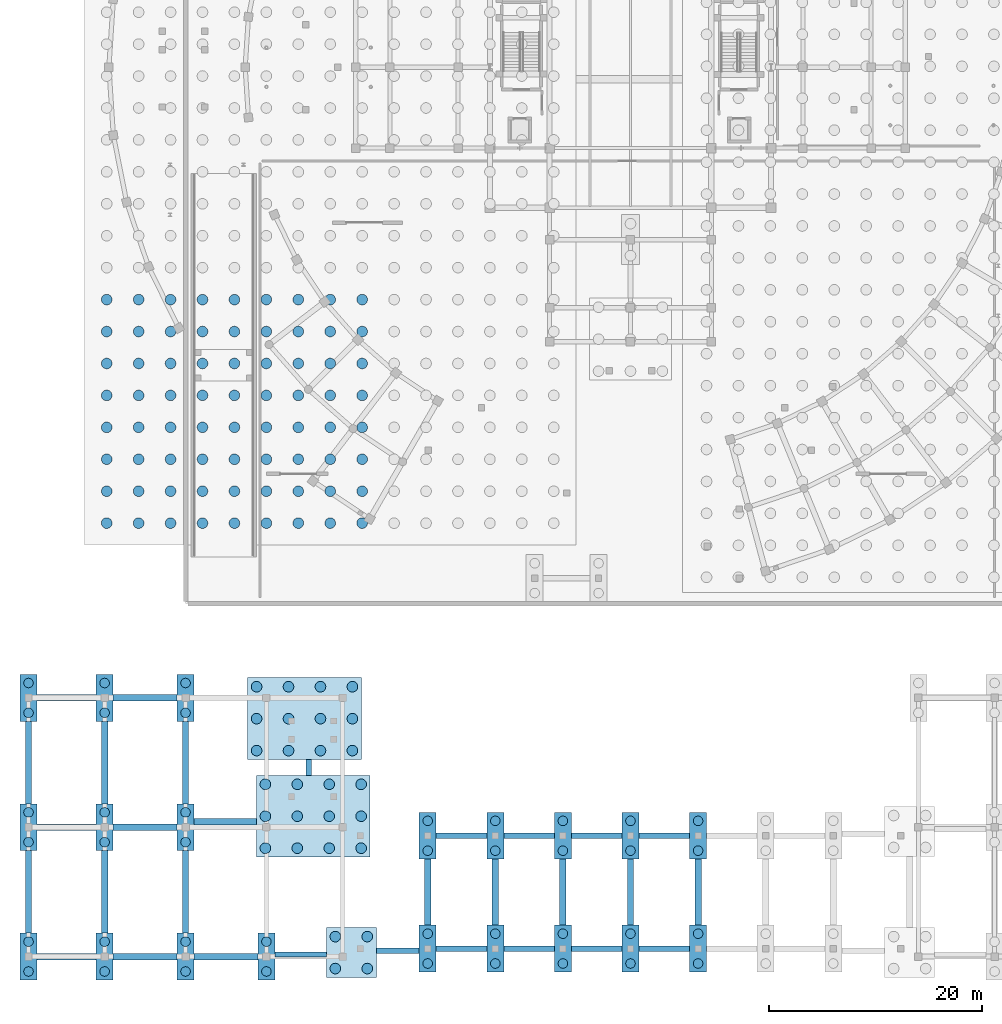
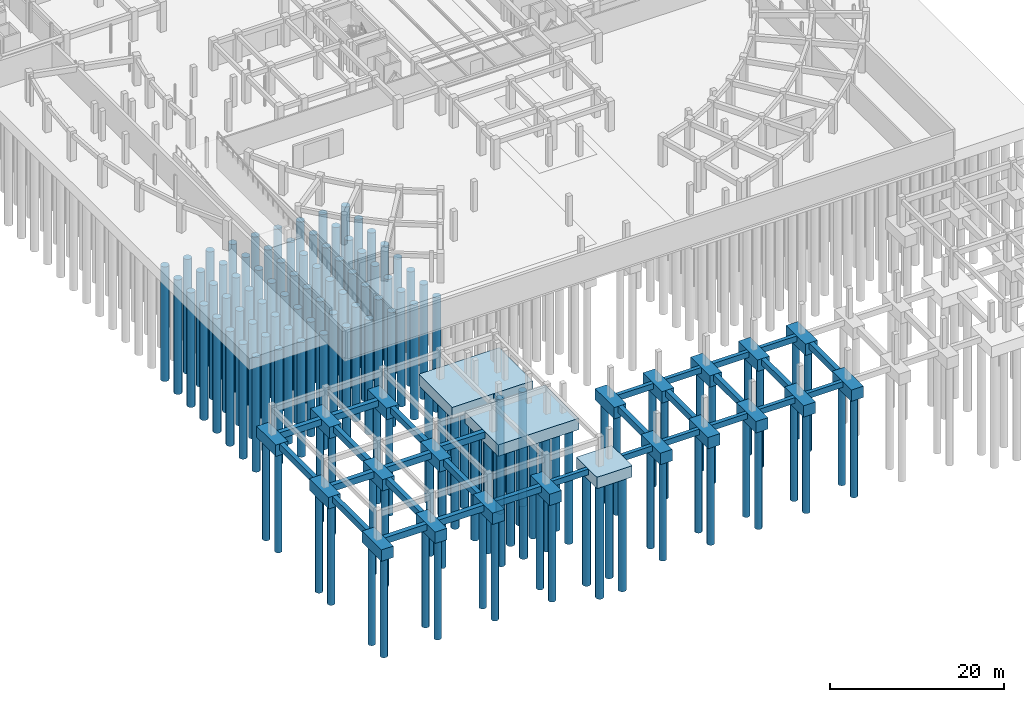
# One storey, part 1 of 33: 140 piles, 53 footings.
"""IFC4 building model written with IfcOpenShell, lengths in metres."""

from ifc_helpers import new_model, si_unit, direction, frame, origin, origin_2d, place, context, subcontext, project, spatial, rectangle, circle, extrude, material, material_profile, profile_set, type_object, element, save


model = new_model("IFC4")

# Units and contexts
model_context = context("Model", 3, precision=1e-05, world=origin(), true_north=direction((0.0, 1.0)))
body_context = subcontext(model_context, "Body", "Model", "MODEL_VIEW")
ifc_project = project(units=[si_unit("LENGTHUNIT", "METRE"), si_unit("AREAUNIT", "SQUARE_METRE"), si_unit("VOLUMEUNIT", "CUBIC_METRE"), si_unit("PLANEANGLEUNIT", "RADIAN"), si_unit("MASSUNIT", "GRAM", prefix="KILO")], contexts=[model_context])

# Site, building, storey
site_placement = place(None, origin())
site = spatial("IfcSite", under=ifc_project, at=site_placement, CompositionType="ELEMENT")
building_placement = place(site_placement, origin())
building = spatial("IfcBuilding", under=site, at=building_placement, Name="Saryqyr Civic Hall", CompositionType="ELEMENT")
storey_placement = place(building_placement, frame((0.0, 0.0, -4.199951171875)))
storey = spatial("IfcBuildingStorey", under=building, at=storey_placement, Name="B1", CompositionType="ELEMENT", Elevation=-4.199951171875)

# Footings
ifc_material = material(Name="Concrete C35/45", Category="concrete")
footing_type_1 = type_object("IfcFootingType", Name="STR-FB-500x800", PredefinedType="FOOTING_BEAM", material=ifc_material)
footing_1_placement = place(storey_placement, frame((26.012451171875, 0.637451171875, -0.80029296875), z_axis=(0.0, 0.0, 1.0), x_axis=(1.0, 0.0, 0.0)))
element("IfcFooting", 1, at=footing_1_placement, inside=storey, type_object=footing_type_1, Name="Ground tie beam FND-FB-007", PredefinedType="FOOTING_BEAM", context=body_context, shape_type="SweptSolid", body=[
    extrude(rectangle(XDim=4.824951171875, YDim=0.5, at=origin_2d()), origin(), (0.0, 0.0, 1.0), 0.800048828125),
])
footing_2_placement = place(storey_placement, frame((35.137451171875, 1.012451171875, -0.80029296875), z_axis=(0.0, 0.0, 1.0), x_axis=(1.0, 0.0, 0.0)))
element("IfcFooting", 2, at=footing_2_placement, inside=storey, type_object=footing_type_1, Name="Ground tie beam FND-FB-008", PredefinedType="FOOTING_BEAM", context=body_context, shape_type="SweptSolid", body=[
    extrude(rectangle(XDim=4.02490234375, YDim=0.5, at=origin_2d()), origin(), (0.0, 0.0, 1.0), 0.800048828125),
])
for number, where, z_axis, x_axis, name in (
    (3, (41.125, 1.199951171875, -0.80029296875), (0.0, 0.0, 1.0), (1.0, 0.0, 0.0), "Ground tie beam FND-FB-017"),
    (4, (47.47509765625, 1.199951171875, -0.80029296875), (0.0, 0.0, 1.0), (1.0, 0.0, 0.0), "Ground tie beam FND-FB-019"),
    (5, (53.824951171875, 1.199951171875, -0.80029296875), (0.0, 0.0, 1.0), (1.0, 0.0, 0.0), "Ground tie beam FND-FB-021"),
    (6, (60.175048828125, 1.199951171875, -0.80029296875), (0.0, 0.0, 1.0), (1.0, 0.0, 0.0), "Ground tie beam FND-FB-023"),
):
    element("IfcFooting", number, at=place(storey_placement, frame(where, z_axis=z_axis, x_axis=x_axis)), inside=storey, type_object=footing_type_1, Name=name, PredefinedType="FOOTING_BEAM", context=body_context, shape_type="SweptSolid", body=[
        extrude(rectangle(XDim=4.75, YDim=0.5, at=origin_2d()), origin(), (0.0, 0.0, 1.0), 0.800048828125),
    ])
footing_3_placement = place(storey_placement, frame((26.78759765625, 18.216552734375, -0.80029296875), z_axis=(0.0, 0.0, 1.0), x_axis=(1.0, 0.0, 0.0)))
element("IfcFooting", 7, at=footing_3_placement, inside=storey, type_object=footing_type_1, Name="Ground tie beam FND-FB-031", PredefinedType="FOOTING_BEAM", context=body_context, shape_type="SweptSolid", body=[
    extrude(rectangle(XDim=0.5, YDim=1.467041015625, at=origin_2d()), origin(), (0.0, 0.0, 1.0), 0.800048828125),
])
for number, where, z_axis, x_axis, name in (
    (8, (41.125, 11.800048828125, -0.80029296875), (0.0, 0.0, 1.0), (1.0, 0.0, 0.0), "Ground tie beam FND-FB-032"),
    (9, (47.47509765625, 11.800048828125, -0.80029296875), (0.0, 0.0, 1.0), (1.0, 0.0, 0.0), "Ground tie beam FND-FB-033"),
    (10, (53.824951171875, 11.800048828125, -0.80029296875), (0.0, 0.0, 1.0), (1.0, 0.0, 0.0), "Ground tie beam FND-FB-034"),
    (11, (60.175048828125, 11.800048828125, -0.80029296875), (0.0, 0.0, 1.0), (1.0, 0.0, 0.0), "Ground tie beam FND-FB-035"),
):
    element("IfcFooting", number, at=place(storey_placement, frame(where, z_axis=z_axis, x_axis=x_axis)), inside=storey, type_object=footing_type_1, Name=name, PredefinedType="FOOTING_BEAM", context=body_context, shape_type="SweptSolid", body=[
        extrude(rectangle(XDim=4.75, YDim=0.5, at=origin_2d()), origin(), (0.0, 0.0, 1.0), 0.800048828125),
    ])
footing_type_2 = type_object("IfcFootingType", Name="STR-FB-600x900", PredefinedType="FOOTING_BEAM", material=ifc_material)
footing_4_placement = place(storey_placement, frame((4.02490234375, 0.449951171875, -0.89990234375), z_axis=(0.0, 0.0, 1.0), x_axis=(1.0, 0.0, 0.0)))
element("IfcFooting", 12, at=footing_4_placement, inside=storey, type_object=footing_type_2, Name="Ground tie beam FND-FB-001", PredefinedType="FOOTING_BEAM", context=body_context, shape_type="SweptSolid", body=[
    extrude(rectangle(XDim=5.550048828125, YDim=0.60009765625, at=origin_2d()), origin(), (0.0, 0.0, 1.0), 0.89990234375),
])
footing_5_placement = place(storey_placement, frame((0.449951171875, 6.52490234375, -0.89990234375), z_axis=(0.0, 0.0, 1.0), x_axis=(1.0, 0.0, 0.0)))
element("IfcFooting", 13, at=footing_5_placement, inside=storey, type_object=footing_type_2, Name="Ground tie beam FND-FB-002", PredefinedType="FOOTING_BEAM", context=body_context, shape_type="SweptSolid", body=[
    extrude(rectangle(XDim=0.60009765625, YDim=7.75, at=origin_2d()), origin(), (0.0, 0.0, 1.0), 0.89990234375),
])
footing_6_placement = place(storey_placement, frame((11.39990234375, 0.449951171875, -0.89990234375), z_axis=(0.0, 0.0, 1.0), x_axis=(1.0, 0.0, 0.0)))
element("IfcFooting", 14, at=footing_6_placement, inside=storey, type_object=footing_type_2, Name="Ground tie beam FND-FB-003", PredefinedType="FOOTING_BEAM", context=body_context, shape_type="SweptSolid", body=[
    extrude(rectangle(XDim=6.0, YDim=0.60009765625, at=origin_2d()), origin(), (0.0, 0.0, 1.0), 0.89990234375),
])
footing_7_placement = place(storey_placement, frame((7.60009765625, 6.52490234375, -0.89990234375), z_axis=(0.0, 0.0, 1.0), x_axis=(1.0, 0.0, 0.0)))
element("IfcFooting", 15, at=footing_7_placement, inside=storey, type_object=footing_type_2, Name="Ground tie beam FND-FB-004", PredefinedType="FOOTING_BEAM", context=body_context, shape_type="SweptSolid", body=[
    extrude(rectangle(XDim=0.60009765625, YDim=7.75, at=origin_2d()), origin(), (0.0, 0.0, 1.0), 0.89990234375),
])
footing_8_placement = place(storey_placement, frame((19.0, 0.449951171875, -0.89990234375), z_axis=(0.0, 0.0, 1.0), x_axis=(1.0, 0.0, 0.0)))
element("IfcFooting", 16, at=footing_8_placement, inside=storey, type_object=footing_type_2, Name="Ground tie beam FND-FB-005", PredefinedType="FOOTING_BEAM", context=body_context, shape_type="SweptSolid", body=[
    extrude(rectangle(XDim=6.0, YDim=0.60009765625, at=origin_2d()), origin(), (0.0, 0.0, 1.0), 0.89990234375),
])
footing_9_placement = place(storey_placement, frame((15.199951171875, 6.52490234375, -0.89990234375), z_axis=(0.0, 0.0, 1.0), x_axis=(1.0, 0.0, 0.0)))
element("IfcFooting", 17, at=footing_9_placement, inside=storey, type_object=footing_type_2, Name="Ground tie beam FND-FB-006", PredefinedType="FOOTING_BEAM", context=body_context, shape_type="SweptSolid", body=[
    extrude(rectangle(XDim=0.60009765625, YDim=7.75, at=origin_2d()), origin(), (0.0, 0.0, 1.0), 0.89990234375),
])
for number, where, z_axis, x_axis, name in (
    (18, (37.949951171875, 6.5, -0.89990234375), (0.0, 0.0, 1.0), (1.0, 0.0, 0.0), "Ground tie beam FND-FB-018"),
    (19, (44.300048828125, 6.5, -0.89990234375), (0.0, 0.0, 1.0), (1.0, 0.0, 0.0), "Ground tie beam FND-FB-020"),
    (20, (50.64990234375, 6.5, -0.89990234375), (0.0, 0.0, 1.0), (1.0, 0.0, 0.0), "Ground tie beam FND-FB-022"),
    (21, (57.0, 6.5, -0.89990234375), (0.0, 0.0, 1.0), (1.0, 0.0, 0.0), "Ground tie beam FND-FB-024"),
    (22, (63.35009765625, 6.5, -0.89990234375), (0.0, 0.0, 1.0), (1.0, 0.0, 0.0), "Ground tie beam FND-FB-026"),
):
    element("IfcFooting", number, at=place(storey_placement, frame(where, z_axis=z_axis, x_axis=x_axis)), inside=storey, type_object=footing_type_2, Name=name, PredefinedType="FOOTING_BEAM", context=body_context, shape_type="SweptSolid", body=[
        extrude(rectangle(XDim=0.60009765625, YDim=6.199951171875, at=origin_2d()), origin(), (0.0, 0.0, 1.0), 0.89990234375),
    ])
footing_10_placement = place(storey_placement, frame((18.925048828125, 13.116455078125, -0.89990234375), z_axis=(0.0, 0.0, 1.0), x_axis=(1.0, 0.0, 0.0)))
element("IfcFooting", 23, at=footing_10_placement, inside=storey, type_object=footing_type_2, Name="Ground tie beam FND-FB-030", PredefinedType="FOOTING_BEAM", context=body_context, shape_type="SweptSolid", body=[
    extrude(rectangle(XDim=5.85009765625, YDim=0.60009765625, at=origin_2d()), origin(), (0.0, 0.0, 1.0), 0.89990234375),
])
footing_11_placement = place(storey_placement, frame((4.02490234375, 12.60009765625, -0.89990234375), z_axis=(0.0, 0.0, 1.0), x_axis=(1.0, 0.0, 0.0)))
element("IfcFooting", 24, at=footing_11_placement, inside=storey, type_object=footing_type_2, Name="Ground tie beam FND-FB-040", PredefinedType="FOOTING_BEAM", context=body_context, shape_type="SweptSolid", body=[
    extrude(rectangle(XDim=5.550048828125, YDim=0.60009765625, at=origin_2d()), origin(), (0.0, 0.0, 1.0), 0.89990234375),
])
footing_12_placement = place(storey_placement, frame((0.449951171875, 18.675048828125, -0.89990234375), z_axis=(0.0, 0.0, 1.0), x_axis=(1.0, 0.0, 0.0)))
element("IfcFooting", 25, at=footing_12_placement, inside=storey, type_object=footing_type_2, Name="Ground tie beam FND-FB-041", PredefinedType="FOOTING_BEAM", context=body_context, shape_type="SweptSolid", body=[
    extrude(rectangle(XDim=0.60009765625, YDim=7.75, at=origin_2d()), origin(), (0.0, 0.0, 1.0), 0.89990234375),
])
footing_13_placement = place(storey_placement, frame((11.39990234375, 12.60009765625, -0.89990234375), z_axis=(0.0, 0.0, 1.0), x_axis=(1.0, 0.0, 0.0)))
element("IfcFooting", 26, at=footing_13_placement, inside=storey, type_object=footing_type_2, Name="Ground tie beam FND-FB-042", PredefinedType="FOOTING_BEAM", context=body_context, shape_type="SweptSolid", body=[
    extrude(rectangle(XDim=6.0, YDim=0.60009765625, at=origin_2d()), origin(), (0.0, 0.0, 1.0), 0.89990234375),
])
for number, where, z_axis, x_axis, name in (
    (27, (7.60009765625, 18.675048828125, -0.89990234375), (0.0, 0.0, 1.0), (1.0, 0.0, 0.0), "Ground tie beam FND-FB-043"),
    (28, (15.199951171875, 18.675048828125, -0.89990234375), (0.0, 0.0, 1.0), (1.0, 0.0, 0.0), "Ground tie beam FND-FB-044"),
):
    element("IfcFooting", number, at=place(storey_placement, frame(where, z_axis=z_axis, x_axis=x_axis)), inside=storey, type_object=footing_type_2, Name=name, PredefinedType="FOOTING_BEAM", context=body_context, shape_type="SweptSolid", body=[
        extrude(rectangle(XDim=0.60009765625, YDim=7.75, at=origin_2d()), origin(), (0.0, 0.0, 1.0), 0.89990234375),
    ])
footing_14_placement = place(storey_placement, frame((4.02490234375, 24.75, -0.89990234375), z_axis=(0.0, 0.0, 1.0), x_axis=(1.0, 0.0, 0.0)))
element("IfcFooting", 29, at=footing_14_placement, inside=storey, type_object=footing_type_2, Name="Ground tie beam FND-FB-050", PredefinedType="FOOTING_BEAM", context=body_context, shape_type="SweptSolid", body=[
    extrude(rectangle(XDim=5.550048828125, YDim=0.60009765625, at=origin_2d()), origin(), (0.0, 0.0, 1.0), 0.89990234375),
])
footing_15_placement = place(storey_placement, frame((11.39990234375, 24.75, -0.89990234375), z_axis=(0.0, 0.0, 1.0), x_axis=(1.0, 0.0, 0.0)))
element("IfcFooting", 30, at=footing_15_placement, inside=storey, type_object=footing_type_2, Name="Ground tie beam FND-FB-051", PredefinedType="FOOTING_BEAM", context=body_context, shape_type="SweptSolid", body=[
    extrude(rectangle(XDim=6.0, YDim=0.60009765625, at=origin_2d()), origin(), (0.0, 0.0, 1.0), 0.89990234375),
])
footing_type_3 = type_object("IfcFootingType", Name="STR-PCAP-10700x7700x1600", PredefinedType="PILE_CAP", material=ifc_material)
for number, where, z_axis, x_axis, name in (
    (31, (27.199951171875, 13.633056640625, -1.60009765625), (0.0, 0.0, 1.0), (1.0, 0.0, 0.0), "Reinforced concrete pile cap FND-PCAP-018"),
    (32, (26.375, 22.800048828125, -1.60009765625), (0.0, 0.0, 1.0), (1.0, 0.0, 0.0), "Reinforced concrete pile cap FND-PCAP-033"),
):
    element("IfcFooting", number, at=place(storey_placement, frame(where, z_axis=z_axis, x_axis=x_axis)), inside=storey, type_object=footing_type_3, Name=name, PredefinedType="PILE_CAP", context=body_context, shape_type="SweptSolid", body=[
        extrude(rectangle(XDim=10.699951171875, YDim=7.699951171875, at=origin_2d()), origin(), (0.0, 0.0, 1.0), 1.60009765625),
    ])
footing_type_4 = type_object("IfcFootingType", Name="STR-PCAP-1600x4400x1600", PredefinedType="PILE_CAP", material=ifc_material)
for number, where, z_axis, x_axis, name in (
    (33, (0.449951171875, 0.449951171875, -1.60009765625), (0.0, 0.0, 1.0), (1.0, 0.0, 0.0), "Reinforced concrete pile cap FND-PCAP-001"),
    (34, (7.60009765625, 0.449951171875, -1.60009765625), (0.0, 0.0, 1.0), (1.0, 0.0, 0.0), "Reinforced concrete pile cap FND-PCAP-002"),
    (35, (15.199951171875, 0.449951171875, -1.60009765625), (0.0, 0.0, 1.0), (1.0, 0.0, 0.0), "Reinforced concrete pile cap FND-PCAP-003"),
    (36, (22.800048828125, 0.449951171875, -1.60009765625), (0.0, 0.0, 1.0), (1.0, 0.0, 0.0), "Reinforced concrete pile cap FND-PCAP-004"),
    (37, (37.949951171875, 1.199951171875, -1.60009765625), (0.0, 0.0, 1.0), (1.0, 0.0, 0.0), "Reinforced concrete pile cap FND-PCAP-011"),
    (38, (44.300048828125, 1.199951171875, -1.60009765625), (0.0, 0.0, 1.0), (1.0, 0.0, 0.0), "Reinforced concrete pile cap FND-PCAP-012"),
    (39, (50.64990234375, 1.199951171875, -1.60009765625), (0.0, 0.0, 1.0), (1.0, 0.0, 0.0), "Reinforced concrete pile cap FND-PCAP-013"),
    (40, (57.0, 1.199951171875, -1.60009765625), (0.0, 0.0, 1.0), (1.0, 0.0, 0.0), "Reinforced concrete pile cap FND-PCAP-014"),
    (41, (63.35009765625, 1.199951171875, -1.60009765625), (0.0, 0.0, 1.0), (1.0, 0.0, 0.0), "Reinforced concrete pile cap FND-PCAP-015"),
    (42, (37.949951171875, 11.800048828125, -1.60009765625), (0.0, 0.0, 1.0), (1.0, 0.0, 0.0), "Reinforced concrete pile cap FND-PCAP-019"),
    (43, (44.300048828125, 11.800048828125, -1.60009765625), (0.0, 0.0, 1.0), (1.0, 0.0, 0.0), "Reinforced concrete pile cap FND-PCAP-020"),
    (44, (50.64990234375, 11.800048828125, -1.60009765625), (0.0, 0.0, 1.0), (1.0, 0.0, 0.0), "Reinforced concrete pile cap FND-PCAP-021"),
    (45, (57.0, 11.800048828125, -1.60009765625), (0.0, 0.0, 1.0), (1.0, 0.0, 0.0), "Reinforced concrete pile cap FND-PCAP-022"),
    (46, (63.35009765625, 11.800048828125, -1.60009765625), (0.0, 0.0, 1.0), (1.0, 0.0, 0.0), "Reinforced concrete pile cap FND-PCAP-023"),
    (47, (0.449951171875, 12.60009765625, -1.60009765625), (0.0, 0.0, 1.0), (1.0, 0.0, 0.0), "Reinforced concrete pile cap FND-PCAP-027"),
    (48, (7.60009765625, 12.60009765625, -1.60009765625), (0.0, 0.0, 1.0), (1.0, 0.0, 0.0), "Reinforced concrete pile cap FND-PCAP-028"),
    (49, (15.199951171875, 12.60009765625, -1.60009765625), (0.0, 0.0, 1.0), (1.0, 0.0, 0.0), "Reinforced concrete pile cap FND-PCAP-029"),
    (50, (0.449951171875, 24.75, -1.60009765625), (0.0, 0.0, 1.0), (1.0, 0.0, 0.0), "Reinforced concrete pile cap FND-PCAP-035"),
    (51, (7.60009765625, 24.75, -1.60009765625), (0.0, 0.0, 1.0), (1.0, 0.0, 0.0), "Reinforced concrete pile cap FND-PCAP-036"),
    (52, (15.199951171875, 24.75, -1.60009765625), (0.0, 0.0, 1.0), (1.0, 0.0, 0.0), "Reinforced concrete pile cap FND-PCAP-037"),
):
    element("IfcFooting", number, at=place(storey_placement, frame(where, z_axis=z_axis, x_axis=x_axis)), inside=storey, type_object=footing_type_4, Name=name, PredefinedType="PILE_CAP", context=body_context, shape_type="SweptSolid", body=[
        extrude(rectangle(XDim=1.60009765625, YDim=4.39990234375, at=origin_2d()), origin(), (0.0, 0.0, 1.0), 1.60009765625),
    ])
footing_type_5 = type_object("IfcFootingType", Name="STR-PCAP-4700x4700x1600", PredefinedType="PILE_CAP", material=ifc_material)
footing_16_placement = place(storey_placement, frame((30.77490234375, 0.824951171875, -1.60009765625), z_axis=(0.0, 0.0, 1.0), x_axis=(1.0, 0.0, 0.0)))
element("IfcFooting", 53, at=footing_16_placement, inside=storey, type_object=footing_type_5, Name="Reinforced concrete pile cap FND-PCAP-005", PredefinedType="PILE_CAP", context=body_context, shape_type="SweptSolid", body=[
    extrude(rectangle(XDim=4.699951171875, YDim=4.699951171875, at=origin_2d()), origin(), (0.0, 0.0, 1.0), 1.60009765625),
])

# Piles
ifc_material_profile_1 = material_profile(ifc_material, circle(Radius=0.5, at=origin_2d()), Name="BORED PILE D1000")
ifc_profile_set_1 = profile_set([ifc_material_profile_1], Name="Concrete C35/45")
pile_type_1 = type_object("IfcPileType", Name="STR-PILE-D1000", PredefinedType="BORED", material=ifc_profile_set_1)
for number, where, z_axis, x_axis, name in (
    (54, (29.27490234375, -0.675048828125, -1.5), (0.0, 0.0, -1.0), (1.0, 0.0, 0.0), "Bored pile FND-PCAP-005-P01"),
    (55, (29.27490234375, 2.324951171875, -1.5), (0.0, 0.0, -1.0), (1.0, 0.0, 0.0), "Bored pile FND-PCAP-005-P02"),
    (56, (32.27490234375, -0.675048828125, -1.5), (0.0, 0.0, -1.0), (1.0, 0.0, 0.0), "Bored pile FND-PCAP-005-P03"),
    (57, (32.27490234375, 2.324951171875, -1.5), (0.0, 0.0, -1.0), (1.0, 0.0, 0.0), "Bored pile FND-PCAP-005-P04"),
    (58, (22.699951171875, 10.633056640625, -1.5), (0.0, 0.0, -1.0), (1.0, 0.0, 0.0), "Bored pile FND-PCAP-018-P01"),
    (59, (22.699951171875, 13.633056640625, -1.5), (0.0, 0.0, -1.0), (1.0, 0.0, 0.0), "Bored pile FND-PCAP-018-P02"),
    (60, (22.699951171875, 16.633056640625, -1.5), (0.0, 0.0, -1.0), (1.0, 0.0, 0.0), "Bored pile FND-PCAP-018-P03"),
    (61, (25.699951171875, 10.633056640625, -1.5), (0.0, 0.0, -1.0), (1.0, 0.0, 0.0), "Bored pile FND-PCAP-018-P04"),
    (62, (25.699951171875, 13.633056640625, -1.5), (0.0, 0.0, -1.0), (1.0, 0.0, 0.0), "Bored pile FND-PCAP-018-P05"),
    (63, (25.699951171875, 16.633056640625, -1.5), (0.0, 0.0, -1.0), (1.0, 0.0, 0.0), "Bored pile FND-PCAP-018-P06"),
    (64, (28.699951171875, 10.633056640625, -1.5), (0.0, 0.0, -1.0), (1.0, 0.0, 0.0), "Bored pile FND-PCAP-018-P07"),
    (65, (28.699951171875, 13.633056640625, -1.5), (0.0, 0.0, -1.0), (1.0, 0.0, 0.0), "Bored pile FND-PCAP-018-P08"),
    (66, (28.699951171875, 16.633056640625, -1.5), (0.0, 0.0, -1.0), (1.0, 0.0, 0.0), "Bored pile FND-PCAP-018-P09"),
    (67, (31.699951171875, 10.633056640625, -1.5), (0.0, 0.0, -1.0), (1.0, 0.0, 0.0), "Bored pile FND-PCAP-018-P10"),
    (68, (31.699951171875, 13.633056640625, -1.5), (0.0, 0.0, -1.0), (1.0, 0.0, 0.0), "Bored pile FND-PCAP-018-P11"),
    (69, (31.699951171875, 16.633056640625, -1.5), (0.0, 0.0, -1.0), (1.0, 0.0, 0.0), "Bored pile FND-PCAP-018-P12"),
    (70, (21.875, 19.800048828125, -1.5), (0.0, 0.0, -1.0), (1.0, 0.0, 0.0), "Bored pile FND-PCAP-033-P01"),
    (71, (21.875, 22.800048828125, -1.5), (0.0, 0.0, -1.0), (1.0, 0.0, 0.0), "Bored pile FND-PCAP-033-P02"),
    (72, (21.875, 25.800048828125, -1.5), (0.0, 0.0, -1.0), (1.0, 0.0, 0.0), "Bored pile FND-PCAP-033-P03"),
    (73, (24.875, 19.800048828125, -1.5), (0.0, 0.0, -1.0), (1.0, 0.0, 0.0), "Bored pile FND-PCAP-033-P04"),
    (74, (24.875, 22.800048828125, -1.5), (0.0, 0.0, -1.0), (1.0, 0.0, 0.0), "Bored pile FND-PCAP-033-P05"),
    (75, (24.875, 25.800048828125, -1.5), (0.0, 0.0, -1.0), (1.0, 0.0, 0.0), "Bored pile FND-PCAP-033-P06"),
    (76, (27.875, 19.800048828125, -1.5), (0.0, 0.0, -1.0), (1.0, 0.0, 0.0), "Bored pile FND-PCAP-033-P07"),
    (77, (27.875, 22.800048828125, -1.5), (0.0, 0.0, -1.0), (1.0, 0.0, 0.0), "Bored pile FND-PCAP-033-P08"),
    (78, (27.875, 25.800048828125, -1.5), (0.0, 0.0, -1.0), (1.0, 0.0, 0.0), "Bored pile FND-PCAP-033-P09"),
    (79, (30.875, 19.800048828125, -1.5), (0.0, 0.0, -1.0), (1.0, 0.0, 0.0), "Bored pile FND-PCAP-033-P10"),
    (80, (30.875, 22.800048828125, -1.5), (0.0, 0.0, -1.0), (1.0, 0.0, 0.0), "Bored pile FND-PCAP-033-P11"),
    (81, (30.875, 25.800048828125, -1.5), (0.0, 0.0, -1.0), (1.0, 0.0, 0.0), "Bored pile FND-PCAP-033-P12"),
    (82, (7.7939453125, 41.1669921875, -1.5), (0.0, 0.0, -1.0), (1.0, 0.0, 0.0), "Bored pile FND-PCAP-044-P01"),
    (83, (7.7939453125, 44.1669921875, -1.5), (0.0, 0.0, -1.0), (1.0, 0.0, 0.0), "Bored pile FND-PCAP-044-P02"),
    (84, (7.7939453125, 47.1669921875, -1.5), (0.0, 0.0, -1.0), (1.0, 0.0, 0.0), "Bored pile FND-PCAP-044-P03"),
    (85, (7.7939453125, 50.1669921875, -1.5), (0.0, 0.0, -1.0), (1.0, 0.0, 0.0), "Bored pile FND-PCAP-044-P04"),
    (86, (7.7939453125, 53.1669921875, -1.5), (0.0, 0.0, -1.0), (1.0, 0.0, 0.0), "Bored pile FND-PCAP-044-P05"),
    (87, (7.7939453125, 56.1669921875, -1.5), (0.0, 0.0, -1.0), (1.0, 0.0, 0.0), "Bored pile FND-PCAP-044-P06"),
    (88, (7.7939453125, 59.1669921875, -1.5), (0.0, 0.0, -1.0), (1.0, 0.0, 0.0), "Bored pile FND-PCAP-044-P07"),
    (89, (7.7939453125, 62.1669921875, -1.5), (0.0, 0.0, -1.0), (1.0, 0.0, 0.0), "Bored pile FND-PCAP-044-P08"),
    (90, (10.7939453125, 41.1669921875, -1.5), (0.0, 0.0, -1.0), (1.0, 0.0, 0.0), "Bored pile FND-PCAP-044-P29"),
    (91, (10.7939453125, 44.1669921875, -1.5), (0.0, 0.0, -1.0), (1.0, 0.0, 0.0), "Bored pile FND-PCAP-044-P30"),
    (92, (10.7939453125, 47.1669921875, -1.5), (0.0, 0.0, -1.0), (1.0, 0.0, 0.0), "Bored pile FND-PCAP-044-P31"),
    (93, (10.7939453125, 50.1669921875, -1.5), (0.0, 0.0, -1.0), (1.0, 0.0, 0.0), "Bored pile FND-PCAP-044-P32"),
    (94, (10.7939453125, 53.1669921875, -1.5), (0.0, 0.0, -1.0), (1.0, 0.0, 0.0), "Bored pile FND-PCAP-044-P33"),
    (95, (10.7939453125, 56.1669921875, -1.5), (0.0, 0.0, -1.0), (1.0, 0.0, 0.0), "Bored pile FND-PCAP-044-P34"),
    (96, (10.7939453125, 59.1669921875, -1.5), (0.0, 0.0, -1.0), (1.0, 0.0, 0.0), "Bored pile FND-PCAP-044-P35"),
    (97, (10.7939453125, 62.1669921875, -1.5), (0.0, 0.0, -1.0), (1.0, 0.0, 0.0), "Bored pile FND-PCAP-044-P36"),
    (98, (13.7939453125, 41.1669921875, -1.5), (0.0, 0.0, -1.0), (1.0, 0.0, 0.0), "Bored pile FND-PCAP-044-P57"),
    (99, (13.7939453125, 44.1669921875, -1.5), (0.0, 0.0, -1.0), (1.0, 0.0, 0.0), "Bored pile FND-PCAP-044-P58"),
    (100, (13.7939453125, 47.1669921875, -1.5), (0.0, 0.0, -1.0), (1.0, 0.0, 0.0), "Bored pile FND-PCAP-044-P59"),
    (101, (13.7939453125, 50.1669921875, -1.5), (0.0, 0.0, -1.0), (1.0, 0.0, 0.0), "Bored pile FND-PCAP-044-P60"),
    (102, (13.7939453125, 53.1669921875, -1.5), (0.0, 0.0, -1.0), (1.0, 0.0, 0.0), "Bored pile FND-PCAP-044-P61"),
    (103, (13.7939453125, 56.1669921875, -1.5), (0.0, 0.0, -1.0), (1.0, 0.0, 0.0), "Bored pile FND-PCAP-044-P62"),
    (104, (13.7939453125, 59.1669921875, -1.5), (0.0, 0.0, -1.0), (1.0, 0.0, 0.0), "Bored pile FND-PCAP-044-P63"),
    (105, (13.7939453125, 62.1669921875, -1.5), (0.0, 0.0, -1.0), (1.0, 0.0, 0.0), "Bored pile FND-PCAP-044-P64"),
    (106, (16.7939453125, 41.1669921875, -1.5), (0.0, 0.0, -1.0), (1.0, 0.0, 0.0), "Bored pile FND-PCAP-044-P85"),
    (107, (16.7939453125, 44.1669921875, -1.5), (0.0, 0.0, -1.0), (1.0, 0.0, 0.0), "Bored pile FND-PCAP-044-P86"),
    (108, (16.7939453125, 47.1669921875, -1.5), (0.0, 0.0, -1.0), (1.0, 0.0, 0.0), "Bored pile FND-PCAP-044-P87"),
    (109, (16.7939453125, 50.1669921875, -1.5), (0.0, 0.0, -1.0), (1.0, 0.0, 0.0), "Bored pile FND-PCAP-044-P88"),
    (110, (16.7939453125, 53.1669921875, -1.5), (0.0, 0.0, -1.0), (1.0, 0.0, 0.0), "Bored pile FND-PCAP-044-P89"),
    (111, (16.7939453125, 56.1669921875, -1.5), (0.0, 0.0, -1.0), (1.0, 0.0, 0.0), "Bored pile FND-PCAP-044-P90"),
    (112, (16.7939453125, 59.1669921875, -1.5), (0.0, 0.0, -1.0), (1.0, 0.0, 0.0), "Bored pile FND-PCAP-044-P91"),
    (113, (16.7939453125, 62.1669921875, -1.5), (0.0, 0.0, -1.0), (1.0, 0.0, 0.0), "Bored pile FND-PCAP-044-P92"),
    (114, (19.7939453125, 41.1669921875, -1.5), (0.0, 0.0, -1.0), (1.0, 0.0, 0.0), "Bored pile FND-PCAP-044-P113"),
    (115, (19.7939453125, 44.1669921875, -1.5), (0.0, 0.0, -1.0), (1.0, 0.0, 0.0), "Bored pile FND-PCAP-044-P114"),
    (116, (19.7939453125, 47.1669921875, -1.5), (0.0, 0.0, -1.0), (1.0, 0.0, 0.0), "Bored pile FND-PCAP-044-P115"),
    (117, (19.7939453125, 50.1669921875, -1.5), (0.0, 0.0, -1.0), (1.0, 0.0, 0.0), "Bored pile FND-PCAP-044-P116"),
    (118, (19.7939453125, 53.1669921875, -1.5), (0.0, 0.0, -1.0), (1.0, 0.0, 0.0), "Bored pile FND-PCAP-044-P117"),
    (119, (19.7939453125, 56.1669921875, -1.5), (0.0, 0.0, -1.0), (1.0, 0.0, 0.0), "Bored pile FND-PCAP-044-P118"),
    (120, (19.7939453125, 59.1669921875, -1.5), (0.0, 0.0, -1.0), (1.0, 0.0, 0.0), "Bored pile FND-PCAP-044-P119"),
    (121, (19.7939453125, 62.1669921875, -1.5), (0.0, 0.0, -1.0), (1.0, 0.0, 0.0), "Bored pile FND-PCAP-044-P120"),
    (122, (22.7939453125, 41.1669921875, -1.5), (0.0, 0.0, -1.0), (1.0, 0.0, 0.0), "Bored pile FND-PCAP-044-P141"),
    (123, (22.7939453125, 44.1669921875, -1.5), (0.0, 0.0, -1.0), (1.0, 0.0, 0.0), "Bored pile FND-PCAP-044-P142"),
    (124, (22.7939453125, 47.1669921875, -1.5), (0.0, 0.0, -1.0), (1.0, 0.0, 0.0), "Bored pile FND-PCAP-044-P143"),
    (125, (22.7939453125, 50.1669921875, -1.5), (0.0, 0.0, -1.0), (1.0, 0.0, 0.0), "Bored pile FND-PCAP-044-P144"),
    (126, (22.7939453125, 53.1669921875, -1.5), (0.0, 0.0, -1.0), (1.0, 0.0, 0.0), "Bored pile FND-PCAP-044-P145"),
    (127, (22.7939453125, 56.1669921875, -1.5), (0.0, 0.0, -1.0), (1.0, 0.0, 0.0), "Bored pile FND-PCAP-044-P146"),
    (128, (22.7939453125, 59.1669921875, -1.5), (0.0, 0.0, -1.0), (1.0, 0.0, 0.0), "Bored pile FND-PCAP-044-P147"),
    (129, (22.7939453125, 62.1669921875, -1.5), (0.0, 0.0, -1.0), (1.0, 0.0, 0.0), "Bored pile FND-PCAP-044-P148"),
    (130, (25.7939453125, 41.1669921875, -1.5), (0.0, 0.0, -1.0), (1.0, 0.0, 0.0), "Bored pile FND-PCAP-044-P169"),
    (131, (25.7939453125, 44.1669921875, -1.5), (0.0, 0.0, -1.0), (1.0, 0.0, 0.0), "Bored pile FND-PCAP-044-P170"),
    (132, (25.7939453125, 47.1669921875, -1.5), (0.0, 0.0, -1.0), (1.0, 0.0, 0.0), "Bored pile FND-PCAP-044-P171"),
    (133, (25.7939453125, 50.1669921875, -1.5), (0.0, 0.0, -1.0), (1.0, 0.0, 0.0), "Bored pile FND-PCAP-044-P172"),
    (134, (25.7939453125, 53.1669921875, -1.5), (0.0, 0.0, -1.0), (1.0, 0.0, 0.0), "Bored pile FND-PCAP-044-P173"),
    (135, (25.7939453125, 56.1669921875, -1.5), (0.0, 0.0, -1.0), (1.0, 0.0, 0.0), "Bored pile FND-PCAP-044-P174"),
    (136, (25.7939453125, 59.1669921875, -1.5), (0.0, 0.0, -1.0), (1.0, 0.0, 0.0), "Bored pile FND-PCAP-044-P175"),
    (137, (25.7939453125, 62.1669921875, -1.5), (0.0, 0.0, -1.0), (1.0, 0.0, 0.0), "Bored pile FND-PCAP-044-P176"),
    (138, (28.7939453125, 41.1669921875, -1.5), (0.0, 0.0, -1.0), (1.0, 0.0, 0.0), "Bored pile FND-PCAP-044-P197"),
    (139, (28.7939453125, 44.1669921875, -1.5), (0.0, 0.0, -1.0), (1.0, 0.0, 0.0), "Bored pile FND-PCAP-044-P198"),
    (140, (28.7939453125, 47.1669921875, -1.5), (0.0, 0.0, -1.0), (1.0, 0.0, 0.0), "Bored pile FND-PCAP-044-P199"),
    (141, (28.7939453125, 50.1669921875, -1.5), (0.0, 0.0, -1.0), (1.0, 0.0, 0.0), "Bored pile FND-PCAP-044-P200"),
    (142, (28.7939453125, 53.1669921875, -1.5), (0.0, 0.0, -1.0), (1.0, 0.0, 0.0), "Bored pile FND-PCAP-044-P201"),
    (143, (28.7939453125, 56.1669921875, -1.5), (0.0, 0.0, -1.0), (1.0, 0.0, 0.0), "Bored pile FND-PCAP-044-P202"),
    (144, (28.7939453125, 59.1669921875, -1.5), (0.0, 0.0, -1.0), (1.0, 0.0, 0.0), "Bored pile FND-PCAP-044-P203"),
    (145, (28.7939453125, 62.1669921875, -1.5), (0.0, 0.0, -1.0), (1.0, 0.0, 0.0), "Bored pile FND-PCAP-044-P204"),
    (146, (31.7939453125, 41.1669921875, -1.5), (0.0, 0.0, -1.0), (1.0, 0.0, 0.0), "Bored pile FND-PCAP-044-P225"),
    (147, (31.7939453125, 44.1669921875, -1.5), (0.0, 0.0, -1.0), (1.0, 0.0, 0.0), "Bored pile FND-PCAP-044-P226"),
    (148, (31.7939453125, 47.1669921875, -1.5), (0.0, 0.0, -1.0), (1.0, 0.0, 0.0), "Bored pile FND-PCAP-044-P227"),
    (149, (31.7939453125, 50.1669921875, -1.5), (0.0, 0.0, -1.0), (1.0, 0.0, 0.0), "Bored pile FND-PCAP-044-P228"),
    (150, (31.7939453125, 53.1669921875, -1.5), (0.0, 0.0, -1.0), (1.0, 0.0, 0.0), "Bored pile FND-PCAP-044-P229"),
    (151, (31.7939453125, 56.1669921875, -1.5), (0.0, 0.0, -1.0), (1.0, 0.0, 0.0), "Bored pile FND-PCAP-044-P230"),
    (152, (31.7939453125, 59.1669921875, -1.5), (0.0, 0.0, -1.0), (1.0, 0.0, 0.0), "Bored pile FND-PCAP-044-P231"),
    (153, (31.7939453125, 62.1669921875, -1.5), (0.0, 0.0, -1.0), (1.0, 0.0, 0.0), "Bored pile FND-PCAP-044-P232"),
):
    element("IfcPile", number, at=place(storey_placement, frame(where, z_axis=z_axis, x_axis=x_axis)), inside=storey, type_object=pile_type_1, Name=name, PredefinedType="BORED", context=body_context, shape_type="SweptSolid", body=[
        extrude(circle(Radius=0.5, at=origin_2d()), origin(), (0.0, 0.0, 1.0), 16.10009765625),
    ])
ifc_material_profile_2 = material_profile(ifc_material, circle(Radius=0.449951171875, at=origin_2d()), Name="BORED PILE D900")
ifc_profile_set_2 = profile_set([ifc_material_profile_2], Name="Concrete C35/45")
pile_type_2 = type_object("IfcPileType", Name="STR-PILE-D900", PredefinedType="BORED", material=ifc_profile_set_2)
for number, where, z_axis, x_axis, name in (
    (154, (0.449951171875, -0.949951171875, -1.5), (0.0, 0.0, -1.0), (1.0, 0.0, 0.0), "Bored pile FND-PCAP-001-P01"),
    (155, (0.449951171875, 1.85009765625, -1.5), (0.0, 0.0, -1.0), (1.0, 0.0, 0.0), "Bored pile FND-PCAP-001-P02"),
    (156, (7.60009765625, -0.949951171875, -1.5), (0.0, 0.0, -1.0), (1.0, 0.0, 0.0), "Bored pile FND-PCAP-002-P01"),
    (157, (7.60009765625, 1.85009765625, -1.5), (0.0, 0.0, -1.0), (1.0, 0.0, 0.0), "Bored pile FND-PCAP-002-P02"),
    (158, (15.199951171875, -0.949951171875, -1.5), (0.0, 0.0, -1.0), (1.0, 0.0, 0.0), "Bored pile FND-PCAP-003-P01"),
    (159, (15.199951171875, 1.85009765625, -1.5), (0.0, 0.0, -1.0), (1.0, 0.0, 0.0), "Bored pile FND-PCAP-003-P02"),
    (160, (22.800048828125, -0.949951171875, -1.5), (0.0, 0.0, -1.0), (1.0, 0.0, 0.0), "Bored pile FND-PCAP-004-P01"),
    (161, (22.800048828125, 1.85009765625, -1.5), (0.0, 0.0, -1.0), (1.0, 0.0, 0.0), "Bored pile FND-PCAP-004-P02"),
    (162, (37.949951171875, -0.199951171875, -1.5), (0.0, 0.0, -1.0), (1.0, 0.0, 0.0), "Bored pile FND-PCAP-011-P01"),
    (163, (37.949951171875, 2.60009765625, -1.5), (0.0, 0.0, -1.0), (1.0, 0.0, 0.0), "Bored pile FND-PCAP-011-P02"),
    (164, (44.300048828125, -0.199951171875, -1.5), (0.0, 0.0, -1.0), (1.0, 0.0, 0.0), "Bored pile FND-PCAP-012-P01"),
    (165, (44.300048828125, 2.60009765625, -1.5), (0.0, 0.0, -1.0), (1.0, 0.0, 0.0), "Bored pile FND-PCAP-012-P02"),
    (166, (50.64990234375, -0.199951171875, -1.5), (0.0, 0.0, -1.0), (1.0, 0.0, 0.0), "Bored pile FND-PCAP-013-P01"),
    (167, (50.64990234375, 2.60009765625, -1.5), (0.0, 0.0, -1.0), (1.0, 0.0, 0.0), "Bored pile FND-PCAP-013-P02"),
    (168, (57.0, -0.199951171875, -1.5), (0.0, 0.0, -1.0), (1.0, 0.0, 0.0), "Bored pile FND-PCAP-014-P01"),
    (169, (57.0, 2.60009765625, -1.5), (0.0, 0.0, -1.0), (1.0, 0.0, 0.0), "Bored pile FND-PCAP-014-P02"),
    (170, (63.35009765625, -0.199951171875, -1.5), (0.0, 0.0, -1.0), (1.0, 0.0, 0.0), "Bored pile FND-PCAP-015-P01"),
    (171, (63.35009765625, 2.60009765625, -1.5), (0.0, 0.0, -1.0), (1.0, 0.0, 0.0), "Bored pile FND-PCAP-015-P02"),
    (172, (37.949951171875, 10.39990234375, -1.5), (0.0, 0.0, -1.0), (1.0, 0.0, 0.0), "Bored pile FND-PCAP-019-P01"),
    (173, (37.949951171875, 13.199951171875, -1.5), (0.0, 0.0, -1.0), (1.0, 0.0, 0.0), "Bored pile FND-PCAP-019-P02"),
    (174, (44.300048828125, 10.39990234375, -1.5), (0.0, 0.0, -1.0), (1.0, 0.0, 0.0), "Bored pile FND-PCAP-020-P01"),
    (175, (44.300048828125, 13.199951171875, -1.5), (0.0, 0.0, -1.0), (1.0, 0.0, 0.0), "Bored pile FND-PCAP-020-P02"),
    (176, (50.64990234375, 10.39990234375, -1.5), (0.0, 0.0, -1.0), (1.0, 0.0, 0.0), "Bored pile FND-PCAP-021-P01"),
    (177, (50.64990234375, 13.199951171875, -1.5), (0.0, 0.0, -1.0), (1.0, 0.0, 0.0), "Bored pile FND-PCAP-021-P02"),
    (178, (57.0, 10.39990234375, -1.5), (0.0, 0.0, -1.0), (1.0, 0.0, 0.0), "Bored pile FND-PCAP-022-P01"),
    (179, (57.0, 13.199951171875, -1.5), (0.0, 0.0, -1.0), (1.0, 0.0, 0.0), "Bored pile FND-PCAP-022-P02"),
    (180, (63.35009765625, 10.39990234375, -1.5), (0.0, 0.0, -1.0), (1.0, 0.0, 0.0), "Bored pile FND-PCAP-023-P01"),
    (181, (63.35009765625, 13.199951171875, -1.5), (0.0, 0.0, -1.0), (1.0, 0.0, 0.0), "Bored pile FND-PCAP-023-P02"),
    (182, (0.449951171875, 11.199951171875, -1.5), (0.0, 0.0, -1.0), (1.0, 0.0, 0.0), "Bored pile FND-PCAP-027-P01"),
    (183, (0.449951171875, 14.0, -1.5), (0.0, 0.0, -1.0), (1.0, 0.0, 0.0), "Bored pile FND-PCAP-027-P02"),
    (184, (7.60009765625, 11.199951171875, -1.5), (0.0, 0.0, -1.0), (1.0, 0.0, 0.0), "Bored pile FND-PCAP-028-P01"),
    (185, (7.60009765625, 14.0, -1.5), (0.0, 0.0, -1.0), (1.0, 0.0, 0.0), "Bored pile FND-PCAP-028-P02"),
    (186, (15.199951171875, 11.199951171875, -1.5), (0.0, 0.0, -1.0), (1.0, 0.0, 0.0), "Bored pile FND-PCAP-029-P01"),
    (187, (15.199951171875, 14.0, -1.5), (0.0, 0.0, -1.0), (1.0, 0.0, 0.0), "Bored pile FND-PCAP-029-P02"),
    (188, (0.449951171875, 23.35009765625, -1.5), (0.0, 0.0, -1.0), (1.0, 0.0, 0.0), "Bored pile FND-PCAP-035-P01"),
    (189, (0.449951171875, 26.14990234375, -1.5), (0.0, 0.0, -1.0), (1.0, 0.0, 0.0), "Bored pile FND-PCAP-035-P02"),
    (190, (7.60009765625, 23.35009765625, -1.5), (0.0, 0.0, -1.0), (1.0, 0.0, 0.0), "Bored pile FND-PCAP-036-P01"),
    (191, (7.60009765625, 26.14990234375, -1.5), (0.0, 0.0, -1.0), (1.0, 0.0, 0.0), "Bored pile FND-PCAP-036-P02"),
    (192, (15.199951171875, 23.35009765625, -1.5), (0.0, 0.0, -1.0), (1.0, 0.0, 0.0), "Bored pile FND-PCAP-037-P01"),
    (193, (15.199951171875, 26.14990234375, -1.5), (0.0, 0.0, -1.0), (1.0, 0.0, 0.0), "Bored pile FND-PCAP-037-P02"),
):
    element("IfcPile", number, at=place(storey_placement, frame(where, z_axis=z_axis, x_axis=x_axis)), inside=storey, type_object=pile_type_2, Name=name, PredefinedType="BORED", context=body_context, shape_type="SweptSolid", body=[
        extrude(circle(Radius=0.449951171875, at=origin_2d()), origin(), (0.0, 0.0, 1.0), 14.10009765625),
    ])

save(model, "model.ifc")
